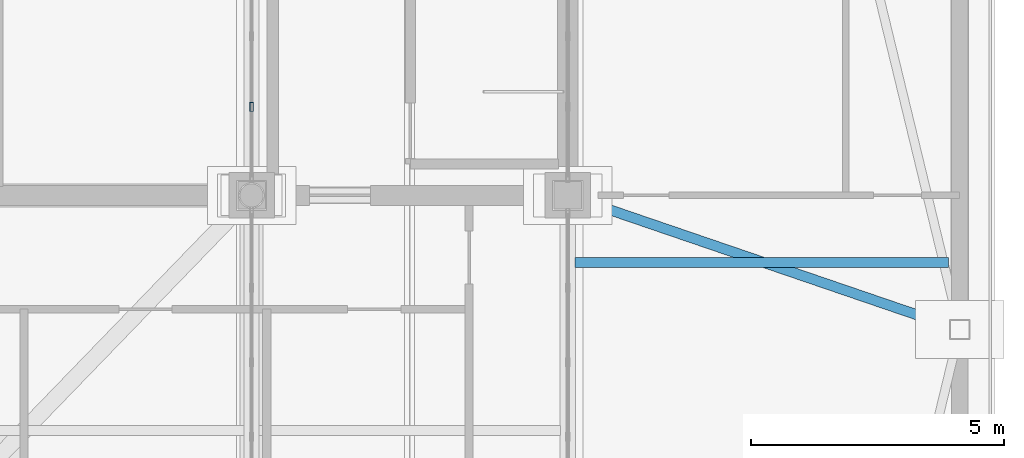
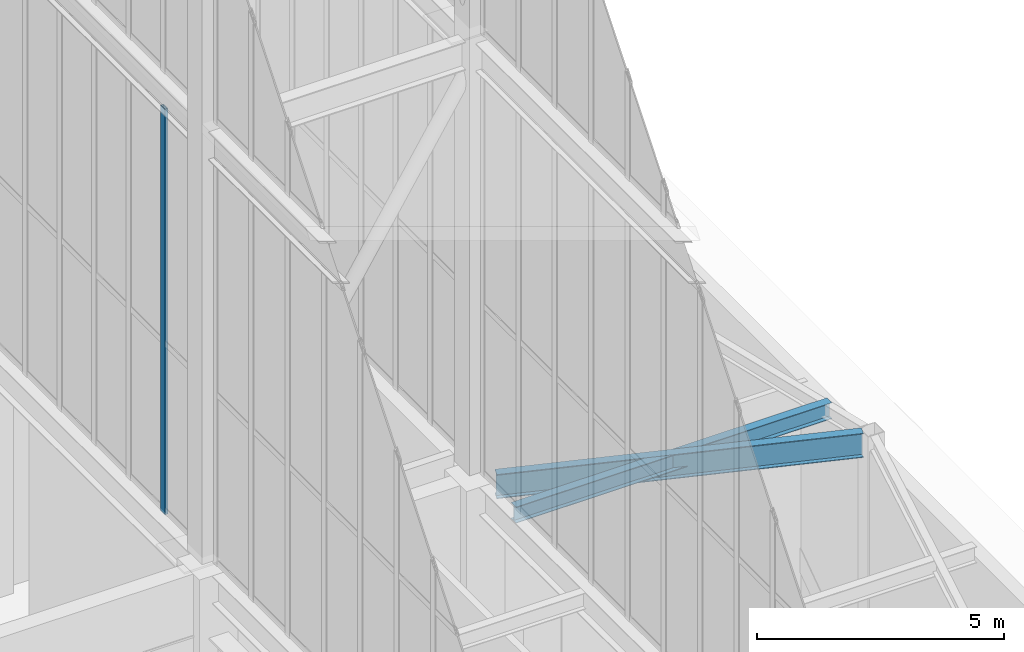
# One storey, part 87 of 135: 2 beams, 1 member, 1 element without a shape of its own.
"""IFC4 building model written with IfcOpenShell, lengths in metres."""

import ifcopenshell
import ifcopenshell.guid

model = None  # the IFC model being written
_history = None  # IfcOwnerHistory: only IFC2X3 demands one
_inside = {}  # id of a spatial element -> (the spatial element, [elements in it])
_under = {}  # id of a project, library or spatial element -> (it, [spatial elements below it])
_declared = {}  # id of a project -> (the project, [libraries it declares])
_typed = {}  # id of a type object -> (the type object, [elements of that type])
_made_of = {}  # id of a material, layer set ... -> (it, [elements and type objects made of it])


def new_model(schema):
    """Start an empty IFC model of exactly this schema.

    Asked for "IFC4X3", IfcOpenShell would pick the latest addendum, in which some entities
    have other attributes; the version numbers below select the first issue.
    IFC2X3 requires an IfcOwnerHistory on every rooted entity: one is made here for all.
    """
    global model, _history
    if schema == "IFC4X3":
        model = ifcopenshell.file(schema_version=(4, 3, 0, 0))
    else:
        model = ifcopenshell.file(schema=schema)
    _inside.clear()
    _under.clear()
    _declared.clear()
    _typed.clear()
    _made_of.clear()
    _history = None
    if model.schema == "IFC2X3":
        org = make("IfcOrganization", Name="unknown")
        user = make(
            "IfcPersonAndOrganization",
            ThePerson=make("IfcPerson", FamilyName="unknown"),
            TheOrganization=org,
        )
        app = make(
            "IfcApplication",
            ApplicationDeveloper=org,
            Version="unknown",
            ApplicationFullName="unknown",
            ApplicationIdentifier="unknown",
        )
        _history = make(
            "IfcOwnerHistory",
            OwningUser=user,
            OwningApplication=app,
            ChangeAction="ADDED",
            CreationDate=0,
        )
    return model


def make(cls, **values):
    """One entity of the class cls with the attributes given. An attribute that is None is left unset."""
    return model.create_entity(
        cls, **{name: value for name, value in values.items() if value is not None}
    )


def rooted(cls, **values):
    """An entity with a GlobalId (a new one), such as an element, a storey or a relation."""
    return make(cls, GlobalId=ifcopenshell.guid.new(), OwnerHistory=_history, **values)


def si_unit(unit_type, name, prefix=None):
    """IfcSIUnit, for example si_unit("LENGTHUNIT", "METRE", prefix="MILLI")."""
    return make("IfcSIUnit", UnitType=unit_type, Prefix=prefix, Name=name)


def assignment(units):
    """IfcUnitAssignment: the units of a project."""
    return None if units is None else make("IfcUnitAssignment", Units=units)


def point(xyz):
    """IfcCartesianPoint."""
    return None if xyz is None else make("IfcCartesianPoint", Coordinates=xyz)


def direction(xyz):
    """IfcDirection."""
    return None if xyz is None else make("IfcDirection", DirectionRatios=xyz)


def frame(location, z_axis=None, x_axis=None):
    """IfcAxis2Placement3D, a coordinate frame: its origin and axes. An axis left out is left unset."""
    return make(
        "IfcAxis2Placement3D",
        Location=point(location),
        Axis=direction(z_axis),
        RefDirection=direction(x_axis),
    )


def frame_2d(location, x_axis=None):
    """IfcAxis2Placement2D, a coordinate frame in the plane: its origin and x axis."""
    return make(
        "IfcAxis2Placement2D", Location=point(location), RefDirection=direction(x_axis)
    )


def origin():
    """The frame at (0, 0, 0) with its axes left unset."""
    return frame((0.0, 0.0, 0.0))


def origin_2d():
    """The frame at (0, 0) in the plane with its x axis left unset."""
    return frame_2d((0.0, 0.0))


def place(relative_to, where):
    """IfcLocalPlacement: puts the frame where relative to a parent placement (None: the world)."""
    return make(
        "IfcLocalPlacement", PlacementRelTo=relative_to, RelativePlacement=where
    )


def context(
    kind, dimensions, precision=None, world=None, true_north=None, identifier=None
):
    """IfcGeometricRepresentationContext, for example the 3D "Model" context."""
    return make(
        "IfcGeometricRepresentationContext",
        ContextIdentifier=identifier,
        ContextType=kind,
        CoordinateSpaceDimension=dimensions,
        Precision=precision,
        WorldCoordinateSystem=world,
        TrueNorth=true_north,
    )


def subcontext(parent, identifier, kind, view, scale=None):
    """IfcGeometricRepresentationSubContext, for example "Body" below "Model"."""
    return make(
        "IfcGeometricRepresentationSubContext",
        ContextIdentifier=identifier,
        ContextType=kind,
        ParentContext=parent,
        TargetScale=scale,
        TargetView=view,
    )


def project(units=None, contexts=None):
    """IfcProject with its units and contexts."""
    return rooted(
        "IfcProject",
        Name="project",
        RepresentationContexts=contexts,
        UnitsInContext=assignment(units),
    )


def spatial(cls, under=None, at=None, **own):
    """A site, building, storey or space (cls), placed at a placement, below another one or the project."""
    s = rooted(cls, ObjectPlacement=at, **own)
    if under is not None:
        _under.setdefault(under.id(), (under, []))[1].append(s)
    return s


def profile(cls, at=None, kind="AREA", **sizes):
    """A parametric profile (cls). Its sizes go by their IFC names, for example OverallWidth=200.0."""
    return make(cls, ProfileType=kind, Position=at, **sizes)


def hollow_rectangle(**sizes):
    """IfcRectangleHollowProfileDef."""
    return profile("IfcRectangleHollowProfileDef", **sizes)


def i_section(**sizes):
    """IfcIShapeProfileDef."""
    return profile("IfcIShapeProfileDef", **sizes)


def extrude(swept, where, along, depth):
    """IfcExtrudedAreaSolid: the profile swept, set in the frame where, extruded along a direction by depth."""
    return make(
        "IfcExtrudedAreaSolid",
        SweptArea=swept,
        Position=where,
        ExtrudedDirection=direction(along),
        Depth=depth,
    )


def shape(context_of_items, identifier, shape_type, items):
    """IfcShapeRepresentation: the items that make up one representation, for example the "Body"."""
    return make(
        "IfcShapeRepresentation",
        ContextOfItems=context_of_items,
        RepresentationIdentifier=identifier,
        RepresentationType=shape_type,
        Items=items,
    )


def source(mapping_origin, context_of_items, identifier, shape_type, items):
    """IfcRepresentationMap: a shape defined once, which mapped items show again and again."""
    return make(
        "IfcRepresentationMap",
        MappingOrigin=mapping_origin,
        MappedRepresentation=shape(context_of_items, identifier, shape_type, items),
    )


def transform(
    local_origin,
    x_axis=None,
    y_axis=None,
    z_axis=None,
    scale=None,
    scale2=None,
    scale3=None,
    uniform=True,
):
    """IfcCartesianTransformationOperator3D, or its non-uniform kind. x_axis, y_axis, z_axis: its Axis1, 2, 3."""
    if uniform:
        return make(
            "IfcCartesianTransformationOperator3D",
            Axis1=direction(x_axis),
            Axis2=direction(y_axis),
            LocalOrigin=point(local_origin),
            Scale=scale,
            Axis3=direction(z_axis),
        )
    return make(
        "IfcCartesianTransformationOperator3DnonUniform",
        Axis1=direction(x_axis),
        Axis2=direction(y_axis),
        LocalOrigin=point(local_origin),
        Scale=scale,
        Axis3=direction(z_axis),
        Scale2=scale2,
        Scale3=scale3,
    )


def mapped(mapping_source, mapping_target):
    """IfcMappedItem: shows the shape of a source again, moved by a transform."""
    return make(
        "IfcMappedItem", MappingSource=mapping_source, MappingTarget=mapping_target
    )


def material(Name=None, Category=None):
    """IfcMaterial."""
    return make("IfcMaterial", Name=Name, Category=Category)


def layer(
    of_material, thickness, ventilated=None, Name=None, Category=None, Priority=None
):
    """IfcMaterialLayer: one layer of a wall or slab, of a material (None: an air gap)."""
    return make(
        "IfcMaterialLayer",
        Material=of_material,
        LayerThickness=thickness,
        IsVentilated=ventilated,
        Name=Name,
        Category=Category,
        Priority=Priority,
    )


def layer_set(layers, Name=None):
    """IfcMaterialLayerSet."""
    return make("IfcMaterialLayerSet", MaterialLayers=layers, LayerSetName=Name)


def material_profile(
    of_material, cross_section, Name=None, Category=None, Priority=None
):
    """IfcMaterialProfile: a cross section and its material."""
    return make(
        "IfcMaterialProfile",
        Name=Name,
        Material=of_material,
        Profile=cross_section,
        Priority=Priority,
        Category=Category,
    )


def profile_set(profiles, Name=None, composite=None):
    """IfcMaterialProfileSet."""
    return make(
        "IfcMaterialProfileSet",
        Name=Name,
        MaterialProfiles=profiles,
        CompositeProfile=composite,
    )


def made_of(thing, what):
    """Note that an element or type object is made of a material, layer set ...; save() writes the relation."""
    if what is not None:
        _made_of.setdefault(what.id(), (what, []))[1].append(thing)
    return thing


def type_object(cls, material=None, **own):
    """A type object (cls), such as IfcWallType, which elements share."""
    return made_of(rooted(cls, **own), material)


def element(
    cls,
    number,
    at=None,
    inside=None,
    cuts=None,
    type_object=None,
    material=None,
    context=None,
    identifier="Body",
    shape_type=None,
    held_by="IfcProductDefinitionShape",
    body=None,
    shapes=None,
    **own,
):
    """One element of the class cls, such as IfcWall. Its Tag is "e" and its number.

    at: its placement. inside: the storey or other place that contains it. cuts: it is an
    opening in that element (IfcRelVoidsElement). A single representation is given by context,
    identifier, shape_type and body (its items); several are given by shapes. held_by: the class
    of the entity that holds the representations. save() writes the other relations.
    """
    e = rooted(cls, Tag="e%d" % number, ObjectPlacement=at, **own)
    if body is not None:
        shapes = [shape(context, identifier, shape_type, body)]
    if shapes is not None:
        e.Representation = make(held_by, Representations=shapes)
    if inside is not None:
        _inside.setdefault(inside.id(), (inside, []))[1].append(e)
    if cuts is not None:
        rooted(
            "IfcRelVoidsElement", RelatingBuildingElement=cuts, RelatedOpeningElement=e
        )
    if type_object is not None:
        _typed.setdefault(type_object.id(), (type_object, []))[1].append(e)
    return made_of(e, material)


def aggregate(whole, parts):
    """IfcRelAggregates: a whole, such as a stair, and the parts it consists of."""
    return rooted("IfcRelAggregates", RelatingObject=whole, RelatedObjects=parts)


def save(model, path):
    """Write the relations noted so far, then the file.

    IfcRelAggregates (storeys below a building ...), IfcRelContainedInSpatialStructure (elements
    in a storey), IfcRelDefinesByType, IfcRelAssociatesMaterial and IfcRelDeclares: one each for
    every whole, place, type object, material and project.
    """
    for whole, parts in _under.values():
        aggregate(whole, parts)
    for where, things in _inside.values():
        rooted(
            "IfcRelContainedInSpatialStructure",
            RelatedElements=things,
            RelatingStructure=where,
        )
    for kind, things in _typed.values():
        rooted("IfcRelDefinesByType", RelatedObjects=things, RelatingType=kind)
    for what, things in _made_of.values():
        rooted("IfcRelAssociatesMaterial", RelatedObjects=things, RelatingMaterial=what)
    for by, libraries in _declared.values():
        rooted("IfcRelDeclares", RelatingContext=by, RelatedDefinitions=libraries)
    model.write(path)


model = new_model("IFC4")

# Units and contexts
model_context = context("Model", 3, precision=1e-05, world=origin(), true_north=direction((0.0, 1.0)))
body_context = subcontext(model_context, "Body", "Model", "MODEL_VIEW")
ifc_project = project(units=[si_unit("LENGTHUNIT", "METRE"), si_unit("AREAUNIT", "SQUARE_METRE"), si_unit("VOLUMEUNIT", "CUBIC_METRE"), si_unit("PLANEANGLEUNIT", "RADIAN"), si_unit("MASSUNIT", "GRAM", prefix="KILO")], contexts=[model_context])

# Site, building, storey
site_placement = place(None, origin())
site = spatial("IfcSite", under=ifc_project, at=site_placement, CompositionType="ELEMENT")
building_placement = place(site_placement, origin())
building = spatial("IfcBuilding", under=site, at=building_placement, Name="Giltprow Tower", CompositionType="ELEMENT")
storey_placement = place(building_placement, frame((0.0, 0.0, 352.699951171875)))
storey = spatial("IfcBuildingStorey", under=building, at=storey_placement, Name="L92", CompositionType="ELEMENT", Elevation=352.699951171875)

# Beams
ifc_material_1 = material(Name="Structural steel Q355B", Category="steel")
ifc_material_profile_1 = material_profile(ifc_material_1, i_section(OverallWidth=0.199951171875, OverallDepth=0.60009765625, WebThickness=0.010986328125, FlangeThickness=0.01708984375, at=origin_2d()), Name="HN 600x200x11x17")
ifc_profile_set_1 = profile_set([ifc_material_profile_1], Name="Structural steel Q355B")
beam_type_1 = type_object("IfcBeamType", Name="BM-GIRD-HN600", PredefinedType="BEAM", material=ifc_profile_set_1)
shared_shape_1 = source(origin(), body_context, "Body", "SweptSolid", [
    extrude(i_section(OverallWidth=0.199951171875, OverallDepth=0.60009765625, WebThickness=0.010986328125, FlangeThickness=0.01708984375, at=origin_2d()), origin(), (0.0, 0.0, 1.0), 7.570068359375),
])
beam_1_placement = place(storey_placement, frame((58.125, 34.860107421875, 5.860107421875), z_axis=(-0.946226868373, 0.323503807657, 0.0), x_axis=(-0.323503807657, -0.946226868373, 0.0)))
element("IfcBeam", 1, at=beam_1_placement, inside=storey, type_object=beam_type_1, Name="L92 East Wing Primary Girder", PredefinedType="BEAM", context=body_context, shape_type="MappedRepresentation", body=[
    mapped(shared_shape_1, transform((0.0, 0.0, 0.0), x_axis=(1.0, 0.0, 0.0), y_axis=(0.0, 1.0, 0.0), z_axis=(0.0, 0.0, 1.0), scale=1.0)),
])
ifc_material_profile_2 = material_profile(ifc_material_1, i_section(OverallWidth=0.199951171875, OverallDepth=0.39990234375, WebThickness=0.008056640625, FlangeThickness=0.012939453125, at=origin_2d()), Name="HN 400x200x8x13")
ifc_profile_set_2 = profile_set([ifc_material_profile_2], Name="Structural steel Q355B")
beam_type_2 = type_object("IfcBeamType", Name="BM-JOIST-HN400", PredefinedType="JOIST", material=ifc_profile_set_2)
shared_shape_2 = source(origin(), body_context, "Body", "SweptSolid", [
    extrude(i_section(OverallWidth=0.199951171875, OverallDepth=0.39990234375, WebThickness=0.008056640625, FlangeThickness=0.012939453125, at=origin_2d()), origin(), (0.0, 0.0, 1.0), 7.385009765625),
])
beam_2_placement = place(storey_placement, frame((50.695068359375, 36.125, 5.9599609375), z_axis=(1.0, 0.0, 0.0), x_axis=(0.0, 1.0, 0.0)))
element("IfcBeam", 2, at=beam_2_placement, inside=storey, type_object=beam_type_2, Name="L92 East Wing Floor Joist 2", PredefinedType="JOIST", context=body_context, shape_type="MappedRepresentation", body=[
    mapped(shared_shape_2, transform((0.0, 0.0, 0.0), x_axis=(1.0, 0.0, 0.0), y_axis=(0.0, 1.0, 0.0), z_axis=(0.0, 0.0, 1.0), scale=1.0)),
])

# Curtain wall, member
ifc_material_2 = material(Name="Anodized bronze", Category="metal")
ifc_layer = layer(ifc_material_2, 0.179931640625, Name="Anodized bronze")
ifc_layer_set = layer_set([ifc_layer], Name="Anodized bronze")
curtain_wall_type = type_object("IfcCurtainWallType", Name="CW-CROWN-LANTERN", PredefinedType="NOTDEFINED", material=ifc_layer_set)
curtain_wall_placement = place(storey_placement, origin())
curtain_wall = element("IfcCurtainWall", 3, at=curtain_wall_placement, inside=storey, type_object=curtain_wall_type, Name="Crown East Lower Lantern Glazing 5", PredefinedType="NOTDEFINED")
ifc_material_profile_3 = material_profile(ifc_material_2, hollow_rectangle(XDim=0.074951171875, YDim=0.179931640625, WallThickness=0.008056640625, at=origin_2d()), Name="RHS 180x75x8")
ifc_profile_set_3 = profile_set([ifc_material_profile_3], Name="Anodized bronze")
member_type = type_object("IfcMemberType", Name="CW-MULLION-180x75", PredefinedType="MULLION", material=ifc_profile_set_3)
shared_shape_3 = source(origin(), body_context, "Body", "SweptSolid", [
    extrude(hollow_rectangle(XDim=0.074951171875, YDim=0.179931640625, WallThickness=0.008056640625, at=origin_2d()), origin(), (0.0, 0.0, 1.0), 10.030029296875),
])
member_placement = place(storey_placement, frame((44.300048828125, 39.199951171875, 6.35009765625), z_axis=(0.0, 0.0, 1.0), x_axis=(1.0, 0.0, 0.0)))
member = element("IfcMember", 4, at=member_placement, type_object=member_type, Name="Crown East Lower Lantern Glazing 5 Mullion 6", PredefinedType="MULLION", context=body_context, shape_type="MappedRepresentation", body=[
    mapped(shared_shape_3, transform((0.0, 0.0, 0.0), x_axis=(1.0, 0.0, 0.0), y_axis=(0.0, 1.0, 0.0), z_axis=(0.0, 0.0, 1.0), scale=1.0)),
])
aggregate(curtain_wall, [member])

save(model, "model.ifc")
